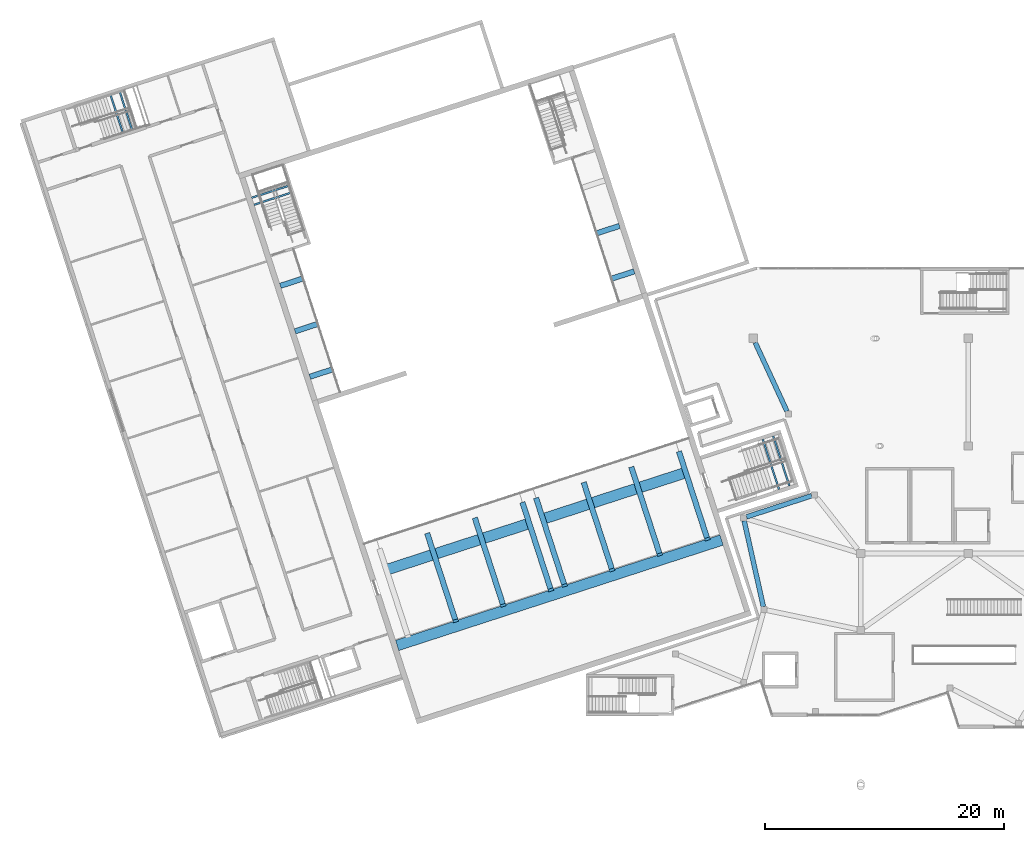
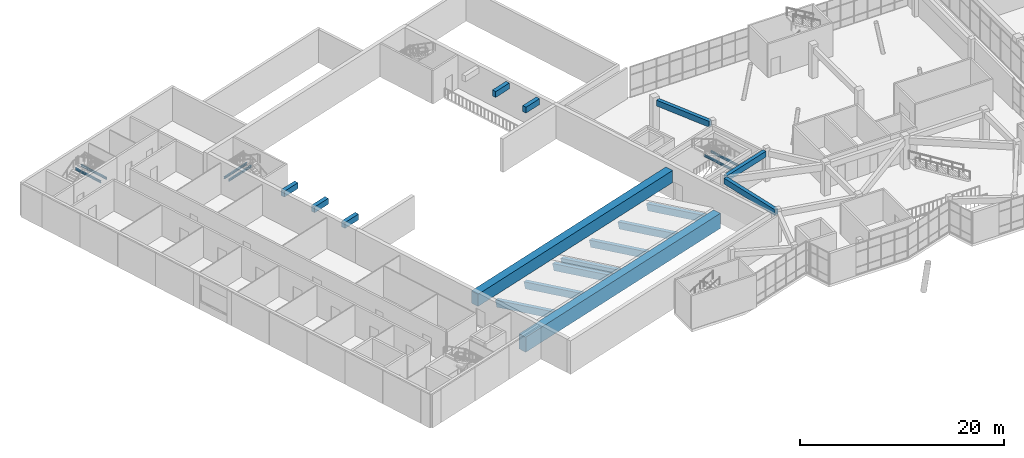
# One storey, part 3 of 66: 23 beams.
"""IFC4 building model written with IfcOpenShell, lengths in metres."""

from ifc_helpers import new_model, si_unit, direction, frame, origin, origin_2d, place, context, subcontext, project, spatial, rectangle, i_section, extrude, material, material_profile, profile_set, type_object, element, save


model = new_model("IFC4")

# Units and contexts
model_context = context("Model", 3, precision=1e-05, world=origin(), true_north=direction((0.0, 1.0)))
body_context = subcontext(model_context, "Body", "Model", "MODEL_VIEW")
ifc_project = project(units=[si_unit("LENGTHUNIT", "METRE"), si_unit("AREAUNIT", "SQUARE_METRE"), si_unit("VOLUMEUNIT", "CUBIC_METRE"), si_unit("PLANEANGLEUNIT", "RADIAN"), si_unit("MASSUNIT", "GRAM", prefix="KILO")], contexts=[model_context])

# Site, building, storey
site_placement = place(None, origin())
site = spatial("IfcSite", under=ifc_project, at=site_placement, CompositionType="ELEMENT")
building_placement = place(site_placement, origin())
building = spatial("IfcBuilding", under=site, at=building_placement, Name="Tuart Plaza Theatre", CompositionType="ELEMENT")
storey_placement = place(building_placement, frame((0.0, 0.0, 5.5)))
storey = spatial("IfcBuildingStorey", under=building, at=storey_placement, Name="L01", CompositionType="ELEMENT", Elevation=5.5)

# Beams
ifc_material_1 = material(Name="Steel Grade 300", Category="steel")
ifc_material_profile_1 = material_profile(ifc_material_1, i_section(OverallWidth=0.14599609375, OverallDepth=0.256103515625, WebThickness=0.00634765625, FlangeThickness=0.010986328125, FilletRadius=0.0087890625, at=origin_2d()), Name="250UB37.3")
ifc_profile_set_1 = profile_set([ifc_material_profile_1], Name="Steel Grade 300")
beam_type_1 = type_object("IfcBeamType", Name="BEAM 250UB37.3", PredefinedType="BEAM", material=ifc_profile_set_1)
for number, where, z_axis, x_axis, name in (
    (1, (25.230224609375, 91.203857421875, 1.672119140625), (-0.308980533303, 0.951068362443, 0.0), (-0.951068362443, -0.308980533303, 0.0), "SB19"),
    (2, (26.00537109375, 91.455810546875, 1.672119140625), (-0.308980533303, 0.951068362443, 0.0), (-0.951068362443, -0.308980533303, 0.0), "SB20"),
):
    element("IfcBeam", number, at=place(storey_placement, frame(where, z_axis=z_axis, x_axis=x_axis)), inside=storey, type_object=beam_type_1, Name=name, PredefinedType="BEAM", context=body_context, shape_type="SweptSolid", body=[
        extrude(i_section(OverallWidth=0.14599609375, OverallDepth=0.256103515625, WebThickness=0.00634765625, FlangeThickness=0.010986328125, FilletRadius=0.0087890625, at=origin_2d()), origin(), (0.0, 0.0, 1.0), 3.39990234375),
    ])
for number, where, z_axis, x_axis, name in (
    (3, (79.66455078125, 65.833251953125, 1.672119140625), (0.30901079133, -0.951058531764, 0.0), (0.951058531764, 0.30901079133, 0.0), "SB27"),
    (4, (78.794189453125, 65.550537109375, 1.672119140625), (0.309060979314, -0.951042223598, 0.0), (0.951042223598, 0.309060979314, 0.0), "SB28"),
):
    element("IfcBeam", number, at=place(storey_placement, frame(where, z_axis=z_axis, x_axis=x_axis)), inside=storey, type_object=beam_type_1, Name=name, PredefinedType="BEAM", context=body_context, shape_type="SweptSolid", body=[
        extrude(i_section(OverallWidth=0.14599609375, OverallDepth=0.256103515625, WebThickness=0.00634765625, FlangeThickness=0.010986328125, FilletRadius=0.0087890625, at=origin_2d()), origin(), (0.0, 0.0, 1.0), 4.39990234375),
    ])
beam_1_placement = place(storey_placement, frame((39.3662109375, 86.215576171875, 1.672119140625), z_axis=(-0.951049715063, -0.309037925631, 0.0), x_axis=(0.309037925631, -0.951049715063, 0.0)))
element("IfcBeam", 5, at=beam_1_placement, inside=storey, type_object=beam_type_1, Name="SB31", PredefinedType="BEAM", context=body_context, shape_type="SweptSolid", body=[
    extrude(i_section(OverallWidth=0.14599609375, OverallDepth=0.256103515625, WebThickness=0.00634765625, FlangeThickness=0.010986328125, FilletRadius=0.0087890625, at=origin_2d()), origin(), (0.0, 0.0, 1.0), 3.3251953125),
])
beam_2_placement = place(storey_placement, frame((39.176025390625, 86.800537109375, 1.672119140625), z_axis=(-0.951042702094, -0.30905950688, 0.0), x_axis=(0.30905950688, -0.951042702094, 0.0)))
element("IfcBeam", 6, at=beam_2_placement, inside=storey, type_object=beam_type_1, Name="SB32", PredefinedType="BEAM", context=body_context, shape_type="SweptSolid", body=[
    extrude(i_section(OverallWidth=0.14599609375, OverallDepth=0.256103515625, WebThickness=0.00634765625, FlangeThickness=0.010986328125, FilletRadius=0.0087890625, at=origin_2d()), origin(), (0.0, 0.0, 1.0), 3.324951171875),
])
ifc_material_2 = material(Name="Concrete N40 (40 MPa)", Category="concrete")
ifc_material_profile_2 = material_profile(ifc_material_2, rectangle(XDim=0.39990234375, YDim=0.699951171875, at=origin_2d()), Name="BEAM 400x700 Concrete N40 (40 MPa)")
ifc_profile_set_2 = profile_set([ifc_material_profile_2], Name="Concrete N40 (40 MPa)")
beam_type_2 = type_object("IfcBeamType", Name="BEAM 400x700 Concrete N40 (40 MPa)", PredefinedType="BEAM", material=ifc_profile_set_2)
beam_3_placement = place(storey_placement, frame((78.161865234375, 73.64990234375, 3.35009765625), z_axis=(0.419496397919, -0.907757000597, 0.0), x_axis=(0.907757000597, 0.419496397919, 0.0)))
element("IfcBeam", 7, at=beam_3_placement, inside=storey, type_object=beam_type_2, Name="RB454", PredefinedType="BEAM", context=body_context, shape_type="SweptSolid", body=[
    extrude(rectangle(XDim=0.39990234375, YDim=0.699951171875, at=origin_2d()), origin(), (0.0, 0.0, 1.0), 6.3232421875),
])
beam_4_placement = place(storey_placement, frame((78.843994140625, 51.550048828125, 3.35009765625), z_axis=(-0.218187204822, 0.975906933909, 0.0), x_axis=(-0.975906933909, -0.218187204822, 0.0)))
element("IfcBeam", 8, at=beam_4_placement, inside=storey, type_object=beam_type_2, Name="RB469", PredefinedType="BEAM", context=body_context, shape_type="SweptSolid", body=[
    extrude(rectangle(XDim=0.39990234375, YDim=0.699951171875, at=origin_2d()), origin(), (0.0, 0.0, 1.0), 7.36279296875),
])
beam_5_placement = place(storey_placement, frame((77.431640625, 59.06640625, 3.35009765625), z_axis=(0.951443049522, 0.307824826024, 0.0), x_axis=(-0.307824826024, 0.951443049522, 0.0)))
element("IfcBeam", 9, at=beam_5_placement, inside=storey, type_object=beam_type_2, Name="RB471", PredefinedType="BEAM", context=body_context, shape_type="SweptSolid", body=[
    extrude(rectangle(XDim=0.39990234375, YDim=0.699951171875, at=origin_2d()), origin(), (0.0, 0.0, 1.0), 5.726318359375),
])
ifc_material_3 = material(Name="Concrete N40 (40 MPa)", Category="concrete")
ifc_material_profile_3 = material_profile(ifc_material_3, rectangle(XDim=0.449951171875, YDim=0.699951171875, at=origin_2d()), Name="BEAM 450x700 Concrete N40 (40 MPa)")
ifc_profile_set_3 = profile_set([ifc_material_profile_3], Name="Concrete N40 (40 MPa)")
beam_type_3 = type_object("IfcBeamType", Name="BEAM 450x700 Concrete N40 (40 MPa)", PredefinedType="BEAM", material=ifc_profile_set_3)
for number, where, z_axis, x_axis, name in (
    (10, (40.881591796875, 70.79150390625, 3.449951171875), (0.951072636193, 0.308967378027, 0.0), (-0.308967378027, 0.951072636193, 0.0), "RB41"),
    (11, (39.6455078125, 74.595703125, 3.449951171875), (0.951072636193, 0.308967378027, 0.0), (-0.308967378027, 0.951072636193, 0.0), "RB42"),
):
    element("IfcBeam", number, at=place(storey_placement, frame(where, z_axis=z_axis, x_axis=x_axis)), inside=storey, type_object=beam_type_3, Name=name, PredefinedType="BEAM", context=body_context, shape_type="SweptSolid", body=[
        extrude(rectangle(XDim=0.449951171875, YDim=0.699951171875, at=origin_2d()), origin(), (0.0, 0.0, 1.0), 2.0),
    ])
beam_6_placement = place(storey_placement, frame((38.409423828125, 78.39990234375, 3.449951171875), z_axis=(0.951084287378, 0.308931510697, 0.0), x_axis=(-0.308931510697, 0.951084287378, 0.0)))
element("IfcBeam", 12, at=beam_6_placement, inside=storey, type_object=beam_type_3, Name="RB43", PredefinedType="BEAM", context=body_context, shape_type="SweptSolid", body=[
    extrude(rectangle(XDim=0.449951171875, YDim=0.699951171875, at=origin_2d()), origin(), (0.0, 0.0, 1.0), 2.000244140625),
])
for number, where, z_axis, x_axis, name in (
    (13, (68.034423828125, 79.61376953125, 3.449951171875), (-0.951072636193, -0.308967378027, 0.0), (0.308967378027, -0.951072636193, 0.0), "RB44"),
    (14, (66.79833984375, 83.418212890625, 3.449951171875), (-0.951036759863, -0.309077791808, 0.0), (0.309077791808, -0.951036759863, 0.0), "RB45"),
):
    element("IfcBeam", number, at=place(storey_placement, frame(where, z_axis=z_axis, x_axis=x_axis)), inside=storey, type_object=beam_type_3, Name=name, PredefinedType="BEAM", context=body_context, shape_type="SweptSolid", body=[
        extrude(rectangle(XDim=0.449951171875, YDim=0.699951171875, at=origin_2d()), origin(), (0.0, 0.0, 1.0), 2.0),
    ])
ifc_material_4 = material(Name="Concrete N40 (40 MPa)", Category="concrete")
ifc_material_profile_4 = material_profile(ifc_material_4, rectangle(XDim=0.449951171875, YDim=0.800048828125, at=origin_2d()), Name="BEAM 450x800 Concrete N40 SLOPED")
ifc_profile_set_4 = profile_set([ifc_material_profile_4], Name="Concrete N40 (40 MPa)")
beam_type_4 = type_object("IfcBeamType", Name="BEAM 450x800 Concrete N40 SLOPED", PredefinedType="BEAM", material=ifc_profile_set_4)
for number, where, z_axis, x_axis, name in (
    (15, (53.08349609375, 50.362060546875, 0.82470703125), (-0.297372551228, 0.915273079494, -0.271743915718), (-0.951061921371, -0.309000358767, 0.0), "RB17"),
    (16, (57.070068359375, 51.657470703125, 0.82470703125), (-0.297400732123, 0.915264664785, -0.271741417397), (-0.951052480481, -0.309029415059, 0.0), "RB18"),
    (17, (61.056640625, 52.95263671875, 0.82470703125), (-0.297400732123, 0.915264664785, -0.271741417397), (-0.951052480481, -0.309029415059, 0.0), "RB19"),
    (18, (62.19775390625, 53.323486328125, 0.82470703125), (-0.297372551228, 0.915273079494, -0.271743915718), (-0.951061921371, -0.309000358767, 0.0), "RB20"),
    (19, (66.184326171875, 54.618896484375, 0.82470703125), (-0.297372551228, 0.915273079494, -0.271743915718), (-0.951061921371, -0.309000358767, 0.0), "RB21"),
    (20, (70.1708984375, 55.9140625, 0.82470703125), (-0.297400732123, 0.915264664785, -0.271741417397), (-0.951052480481, -0.309029415059, 0.0), "RB22"),
    (21, (74.157470703125, 57.20947265625, 0.82470703125), (-0.297400732123, 0.915264664785, -0.271741417397), (-0.951052480481, -0.309029415059, 0.0), "RB23"),
):
    element("IfcBeam", number, at=place(storey_placement, frame(where, z_axis=z_axis, x_axis=x_axis)), inside=storey, type_object=beam_type_4, Name=name, PredefinedType="BEAM", context=body_context, shape_type="SweptSolid", body=[
        extrude(rectangle(XDim=0.449951171875, YDim=0.800048828125, at=origin_2d()), origin(), (0.0, 0.0, 1.0), 7.897216796875),
    ])
ifc_material_5 = material(Name="Concrete N50 (50 MPa)", Category="concrete")
ifc_material_profile_5 = material_profile(ifc_material_5, rectangle(XDim=0.89990234375, YDim=1.449951171875, at=origin_2d()), Name="BEAM 900x1450 Concrete N50 (50 MPa)")
ifc_profile_set_5 = profile_set([ifc_material_profile_5], Name="Concrete N50 (50 MPa)")
beam_type_5 = type_object("IfcBeamType", Name="BEAM 900x1450 Concrete N50 (50 MPa)", PredefinedType="BEAM", material=ifc_profile_set_5)
beam_7_placement = place(storey_placement, frame((46.2431640625, 54.29052734375, 2.714599609375), z_axis=(0.951055495577, 0.309020135804, 0.0), x_axis=(-0.309020135804, 0.951055495577, 0.0)))
element("IfcBeam", 22, at=beam_7_placement, inside=storey, type_object=beam_type_5, Name="RB25", PredefinedType="BEAM", context=body_context, shape_type="SweptSolid", body=[
    extrude(rectangle(XDim=0.89990234375, YDim=1.449951171875, at=origin_2d()), origin(), (0.0, 0.0, 1.0), 28.550048828125),
])
ifc_material_6 = material(Name="Concrete N50 (50 MPa)", Category="concrete")
ifc_material_profile_6 = material_profile(ifc_material_6, rectangle(XDim=0.89990234375, YDim=1.800048828125, at=origin_2d()), Name="BEAM 900x1800 Concrete N50 (50 MPa)")
ifc_profile_set_6 = profile_set([ifc_material_profile_6], Name="Concrete N50 (50 MPa)")
beam_type_6 = type_object("IfcBeamType", Name="BEAM 900x1800 Concrete N50 (50 MPa)", PredefinedType="BEAM", material=ifc_profile_set_6)
beam_8_placement = place(storey_placement, frame((48.18994140625, 48.298828125, 0.35009765625), z_axis=(0.951055495577, 0.309020135804, 0.0), x_axis=(-0.309020135804, 0.951055495577, 0.0)))
element("IfcBeam", 23, at=beam_8_placement, inside=storey, type_object=beam_type_6, Name="RB14", PredefinedType="BEAM", context=body_context, shape_type="SweptSolid", body=[
    extrude(rectangle(XDim=0.89990234375, YDim=1.800048828125, at=origin_2d()), origin(), (0.0, 0.0, 1.0), 28.550048828125),
])

save(model, "model.ifc")
